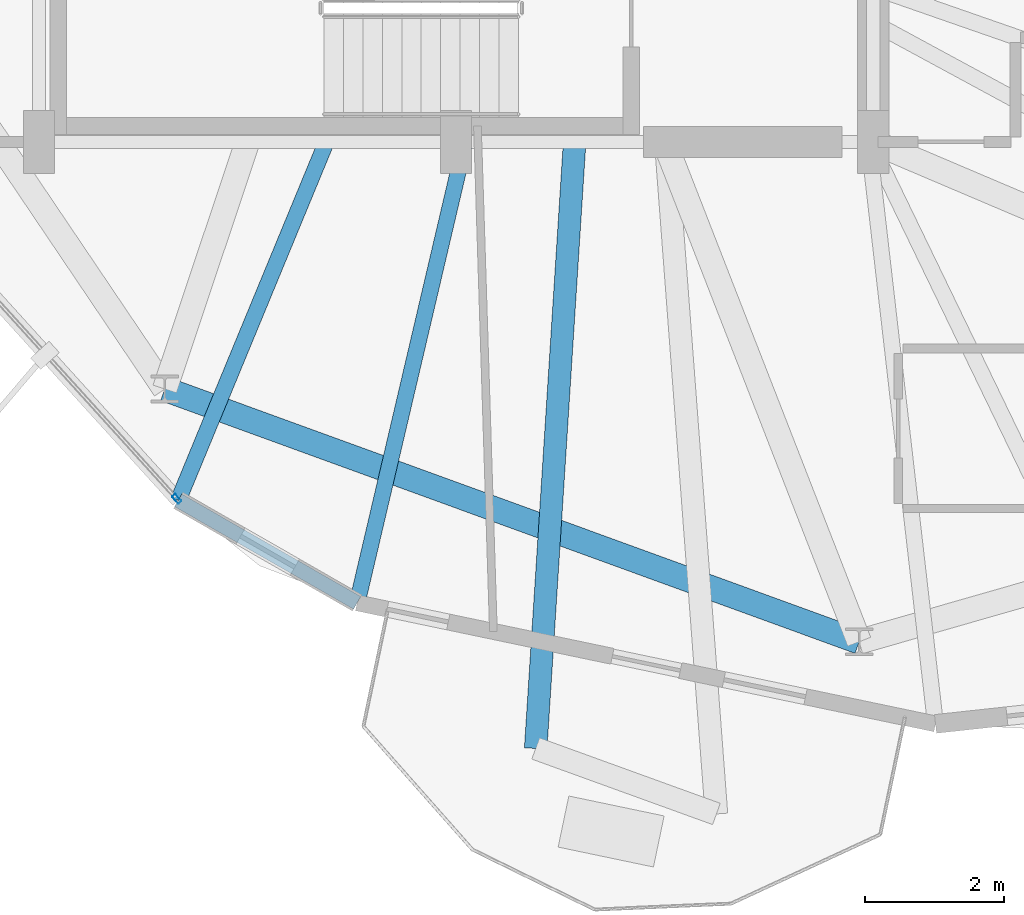
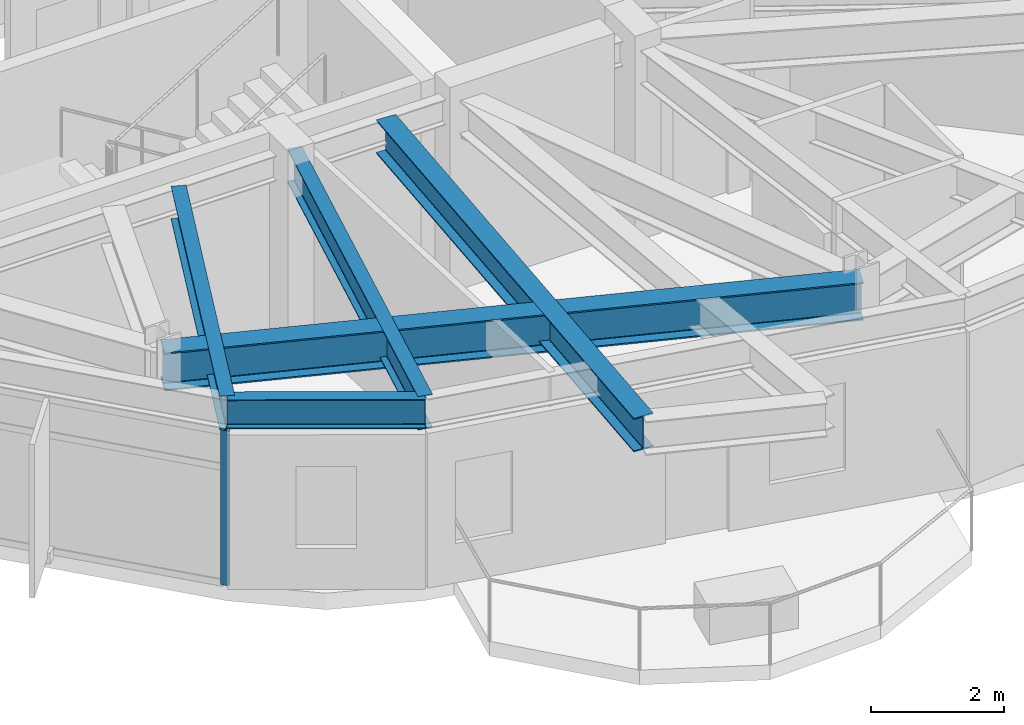
# One storey, part 2 of 23: 5 beams, 1 member, 1 element without a shape of its own.
"""IFC4 building model written with IfcOpenShell, lengths in metres."""

from ifc_helpers import new_model, si_unit, direction, frame, origin, origin_2d, place, context, subcontext, project, spatial, hollow_rectangle, i_section, extrude, material, layer, layer_set, material_profile, profile_set, type_object, element, aggregate, save


model = new_model("IFC4")

# Units and contexts
model_context = context("Model", 3, precision=1e-05, world=origin(), true_north=direction((0.0, 1.0)))
body_context = subcontext(model_context, "Body", "Model", "MODEL_VIEW")
ifc_project = project(units=[si_unit("LENGTHUNIT", "METRE"), si_unit("AREAUNIT", "SQUARE_METRE"), si_unit("VOLUMEUNIT", "CUBIC_METRE"), si_unit("PLANEANGLEUNIT", "RADIAN"), si_unit("MASSUNIT", "GRAM", prefix="KILO")], contexts=[model_context])

# Site, building, storey
site_placement = place(None, origin())
site = spatial("IfcSite", under=ifc_project, at=site_placement, CompositionType="ELEMENT")
building_placement = place(site_placement, origin())
building = spatial("IfcBuilding", under=site, at=building_placement, Name="Soratama Intermodal Tower", CompositionType="ELEMENT")
storey_placement = place(building_placement, frame((0.0, 0.0, 253.75)))
storey = spatial("IfcBuildingStorey", under=building, at=storey_placement, Name="L64", CompositionType="ELEMENT", Elevation=253.75)

# Beams
ifc_material_1 = material(Name="Structural steel ASTM A992 Grade 50", Category="steel")
ifc_material_profile_1 = material_profile(ifc_material_1, i_section(OverallWidth=0.324951171875, OverallDepth=0.615966796875, WebThickness=0.013916015625, FlangeThickness=0.021484375, FilletRadius=0.013916015625, at=origin_2d()), Name="W24X117")
ifc_profile_set_1 = profile_set([ifc_material_profile_1], Name="Structural steel ASTM A992 Grade 50")
beam_type_1 = type_object("IfcBeamType", Name="BM-CANT-W24X117", PredefinedType="BEAM", material=ifc_profile_set_1)
beam_1_placement = place(storey_placement, frame((40.303955078125, 14.9599609375, 3.14208984375), z_axis=(-0.064107387358, -0.997943005831, 0.0), x_axis=(0.997943005831, -0.064107387358, 0.0)))
element("IfcBeam", 1, at=beam_1_placement, inside=storey, type_object=beam_type_1, Name="BM-L64-CANT-3-1", PredefinedType="BEAM", context=body_context, shape_type="SweptSolid", body=[
    extrude(i_section(OverallWidth=0.324951171875, OverallDepth=0.615966796875, WebThickness=0.013916015625, FlangeThickness=0.021484375, FilletRadius=0.013916015625, at=origin_2d()), origin(), (0.0, 0.0, 1.0), 8.701904296875),
])
ifc_material_2 = material(Name="Structural steel ASTM A992 Grade 50", Category="steel")
ifc_material_profile_2 = material_profile(ifc_material_2, i_section(OverallWidth=0.35498046875, OverallDepth=0.695068359375, WebThickness=0.015380859375, FlangeThickness=0.02490234375, FilletRadius=0.01611328125, at=origin_2d()), Name="W27X146")
ifc_profile_set_2 = profile_set([ifc_material_profile_2], Name="Structural steel ASTM A992 Grade 50")
beam_type_2 = type_object("IfcBeamType", Name="BM-RING-W27X146", PredefinedType="BEAM", material=ifc_profile_set_2)
beam_2_placement = place(storey_placement, frame((34.410888671875, 11.446044921875, 3.1025390625), z_axis=(0.939713598519, -0.341962501976, 0.0), x_axis=(0.341962501976, 0.939713598519, 0.0)))
element("IfcBeam", 2, at=beam_2_placement, inside=storey, type_object=beam_type_2, Name="BM-L64-RING-07", PredefinedType="BEAM", context=body_context, shape_type="SweptSolid", body=[
    extrude(i_section(OverallWidth=0.35498046875, OverallDepth=0.695068359375, WebThickness=0.015380859375, FlangeThickness=0.02490234375, FilletRadius=0.01611328125, at=origin_2d()), origin(), (0.0, 0.0, 1.0), 10.6298828125),
])
ifc_material_3 = material(Name="Structural steel ASTM A992 Grade 50", Category="steel")
ifc_material_profile_3 = material_profile(ifc_material_3, i_section(OverallWidth=0.2099609375, OverallDepth=0.537109375, WebThickness=0.010986328125, FlangeThickness=0.017333984375, FilletRadius=0.012939453125, at=origin_2d()), Name="W21X68")
ifc_profile_set_3 = profile_set([ifc_material_profile_3], Name="Structural steel ASTM A992 Grade 50")
beam_type_3 = type_object("IfcBeamType", Name="BM-SPN-W21X68", PredefinedType="SPANDREL", material=ifc_profile_set_3)
beam_3_placement = place(storey_placement, frame((34.60400390625, 9.844970703125, 3.181396484375), z_axis=(0.86766013244, -0.497157816567, 0.0), x_axis=(0.497157816567, 0.86766013244, 0.0)))
element("IfcBeam", 3, at=beam_3_placement, inside=storey, type_object=beam_type_3, Name="BS-L64-CRN05", PredefinedType="SPANDREL", context=body_context, shape_type="SweptSolid", body=[
    extrude(i_section(OverallWidth=0.2099609375, OverallDepth=0.537109375, WebThickness=0.010986328125, FlangeThickness=0.017333984375, FilletRadius=0.012939453125, at=origin_2d()), origin(), (0.0, 0.0, 1.0), 2.966552734375),
])
ifc_material_4 = material(Name="Structural steel ASTM A992 Grade 50", Category="steel")
ifc_material_profile_4 = material_profile(ifc_material_4, i_section(OverallWidth=0.22900390625, OverallDepth=0.612060546875, WebThickness=0.011962890625, FlangeThickness=0.01953125, FilletRadius=0.012939453125, at=origin_2d()), Name="W24X84")
ifc_profile_set_4 = profile_set([ifc_material_profile_4], Name="Structural steel ASTM A992 Grade 50")
beam_type_4 = type_object("IfcBeamType", Name="BM-TIE-W24X84", PredefinedType="BEAM", material=ifc_profile_set_4)
beam_4_placement = place(storey_placement, frame((36.718994140625, 14.962890625, 3.14404296875), z_axis=(-0.381924713314, -0.924193439362, 0.0), x_axis=(0.924193439362, -0.381924713314, 0.0)))
element("IfcBeam", 4, at=beam_4_placement, inside=storey, type_object=beam_type_4, Name="BM-L64-TIE1-05", PredefinedType="BEAM", context=body_context, shape_type="SweptSolid", body=[
    extrude(i_section(OverallWidth=0.22900390625, OverallDepth=0.612060546875, WebThickness=0.011962890625, FlangeThickness=0.01953125, FilletRadius=0.012939453125, at=origin_2d()), origin(), (0.0, 0.0, 1.0), 5.53759765625),
])
beam_5_placement = place(storey_placement, frame((38.722900390625, 14.9609375, 3.14404296875), z_axis=(-0.228219099647, -0.973609799949, 0.0), x_axis=(0.973609799949, -0.228219099647, 0.0)))
element("IfcBeam", 5, at=beam_5_placement, inside=storey, type_object=beam_type_4, Name="BM-L64-TIE0-06", PredefinedType="BEAM", context=body_context, shape_type="SweptSolid", body=[
    extrude(i_section(OverallWidth=0.22900390625, OverallDepth=0.612060546875, WebThickness=0.011962890625, FlangeThickness=0.01953125, FilletRadius=0.012939453125, at=origin_2d()), origin(), (0.0, 0.0, 1.0), 6.76953125),
])

# Curtain wall, member
ifc_material_5 = material(Name="Double-glazed aluminium curtain wall", Category="aluminium")
ifc_layer = layer(ifc_material_5, 0.159912109375)
ifc_layer_set = layer_set([ifc_layer], Name="Double-glazed aluminium curtain wall")
curtain_wall_type = type_object("IfcCurtainWallType", Name="CW-SYS-5", PredefinedType="NOTDEFINED", material=ifc_layer_set)
curtain_wall_placement = place(storey_placement, origin())
curtain_wall = element("IfcCurtainWall", 6, at=curtain_wall_placement, inside=storey, type_object=curtain_wall_type, Name="L64 Faceted Curtain Wall F05", PredefinedType="NOTDEFINED")
ifc_material_6 = material(Name="Anodised aluminium AA 6063-T6", Category="aluminium")
ifc_material_profile_5 = material_profile(ifc_material_6, hollow_rectangle(XDim=0.06494140625, YDim=0.139892578125, WallThickness=0.0048828125, InnerFilletRadius=0.0048828125, OuterFilletRadius=0.010009765625, at=origin_2d()), Name="CWM140X65X5")
ifc_profile_set_5 = profile_set([ifc_material_profile_5], Name="Anodised aluminium AA 6063-T6")
member_type = type_object("IfcMemberType", Name="MT-CWM-5", PredefinedType="MULLION", material=ifc_profile_set_5)
member_placement = place(storey_placement, frame((34.583740234375, 9.8671875, 0.0), z_axis=(0.0, 0.0, 1.0), x_axis=(0.741039453057, 0.671461487364, 0.0)))
member = element("IfcMember", 7, at=member_placement, type_object=member_type, Name="CW-5 mullion 2", PredefinedType="MULLION", context=body_context, shape_type="SweptSolid", body=[
    extrude(hollow_rectangle(XDim=0.06494140625, YDim=0.139892578125, WallThickness=0.0048828125, InnerFilletRadius=0.0048828125, OuterFilletRadius=0.010009765625, at=origin_2d()), origin(), (0.0, 0.0, 1.0), 2.8291015625),
])
aggregate(curtain_wall, [member])

save(model, "model.ifc")
